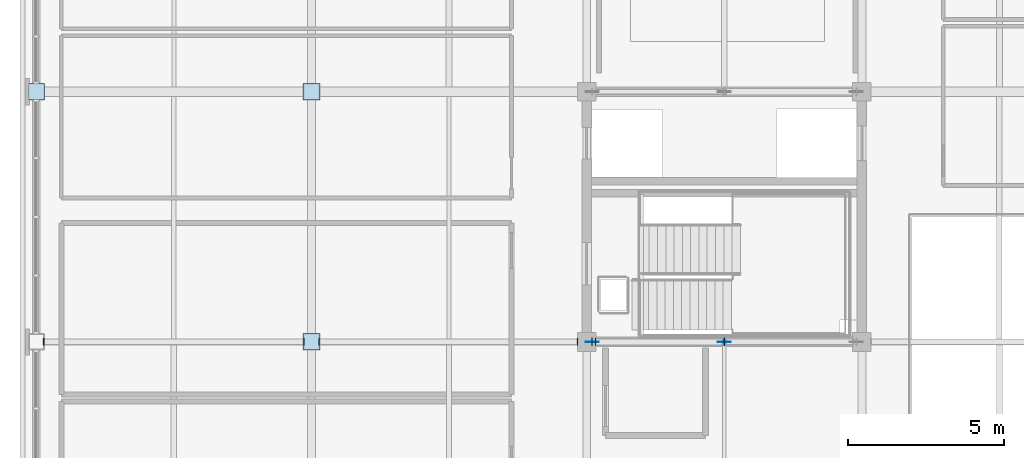
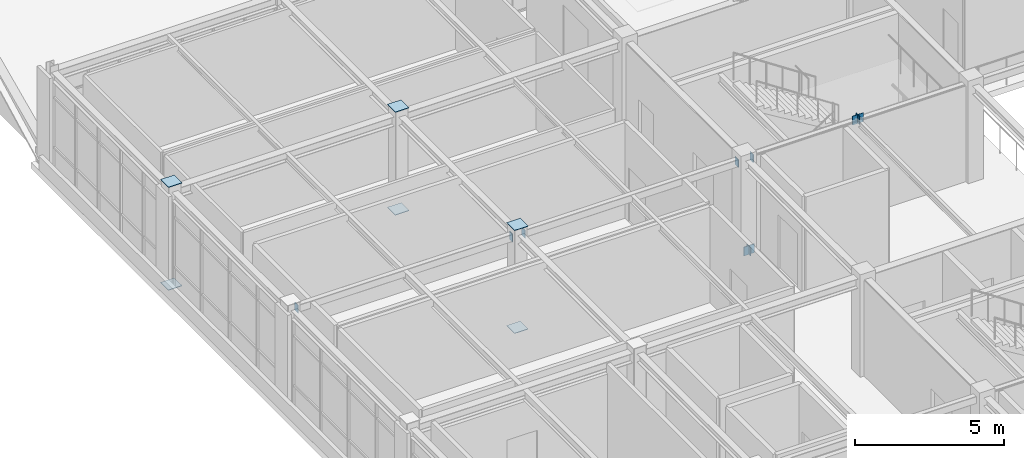
# One storey, part 33 of 45: 16 plates.
"""IFC4 building model written with IfcOpenShell, lengths in metres."""

from ifc_helpers import new_model, si_unit, direction, frame, origin, origin_2d, place, context, subcontext, project, spatial, rectangle, extrude, material, layer, layer_set, type_object, element, save


model = new_model("IFC4")

# Units and contexts
model_context = context("Model", 3, precision=1e-05, world=origin(), true_north=direction((0.0, 1.0)))
body_context = subcontext(model_context, "Body", "Model", "MODEL_VIEW")
ifc_project = project(units=[si_unit("LENGTHUNIT", "METRE"), si_unit("AREAUNIT", "SQUARE_METRE"), si_unit("VOLUMEUNIT", "CUBIC_METRE"), si_unit("PLANEANGLEUNIT", "RADIAN"), si_unit("MASSUNIT", "GRAM", prefix="KILO")], contexts=[model_context])

# Site, building, storey
site_placement = place(None, origin())
site = spatial("IfcSite", under=ifc_project, at=site_placement, CompositionType="ELEMENT")
building_placement = place(site_placement, origin())
building = spatial("IfcBuilding", under=site, at=building_placement, Name="Zhaolan Boulevard Law Courts", CompositionType="ELEMENT")
storey_placement = place(building_placement, frame((0.0, 0.0, 24.60009765625)))
storey = spatial("IfcBuildingStorey", under=building, at=storey_placement, Name="L05", CompositionType="ELEMENT", Elevation=24.60009765625)

# Plates
ifc_material_1 = material(Name="Structural steel Q355B", Category="steel")
ifc_layer_1 = layer(ifc_material_1, 0.02392578125)
ifc_layer_set_1 = layer_set([ifc_layer_1])
plate_type_1 = type_object("IfcPlateType", Name="BRACE GUSSET PLATE 24", PredefinedType="SHEET", material=ifc_layer_set_1)
for number, where, z_axis, x_axis, name in (
    (1, (17.780029296875, 62.0, -0.150390625), (0.0, 0.0, 1.0), (1.0, 0.0, 0.0), "Brace Gusset Connection Plate GP-W2-L05-SA1"),
    (2, (22.0, 62.0, 3.73974609375), (0.0, 0.0, 1.0), (1.0, 0.0, 0.0), "Brace Gusset Connection Plate GP-W2-L05-SAPX"),
):
    element("IfcPlate", number, at=place(storey_placement, frame(where, z_axis=z_axis, x_axis=x_axis)), inside=storey, type_object=plate_type_1, Name=name, PredefinedType="SHEET", context=body_context, shape_type="SweptSolid", body=[
        extrude(rectangle(XDim=0.419921875, YDim=0.02392578125, at=origin_2d()), origin(), (0.0, 0.0, 1.0), 0.360107421875),
    ])
ifc_material_2 = material(Name="Structural steel Q355B", Category="steel")
ifc_layer_2 = layer(ifc_material_2, 0.02001953125)
ifc_layer_set_2 = layer_set([ifc_layer_2])
plate_type_2 = type_object("IfcPlateType", Name="END CAP PLATE 20", PredefinedType="SHEET", material=ifc_layer_set_2)
for number, where, z_axis, x_axis, name in (
    (3, (0.0, 70.0, -0.01806640625), (0.0, 0.0, 1.0), (1.0, 0.0, 0.0), "Hollow Section End-Cap Plate ECP-0121"),
    (4, (0.0, 70.0, 4.197998046875), (0.0, 0.0, 1.0), (1.0, 0.0, 0.0), "Hollow Section End-Cap Plate ECP-0122"),
    (5, (8.800048828125, 62.0, -0.01806640625), (0.0, 0.0, 1.0), (1.0, 0.0, 0.0), "Hollow Section End-Cap Plate ECP-0233"),
    (6, (8.800048828125, 62.0, 4.197998046875), (0.0, 0.0, 1.0), (1.0, 0.0, 0.0), "Hollow Section End-Cap Plate ECP-0234"),
    (7, (8.800048828125, 70.0, -0.01806640625), (0.0, 0.0, 1.0), (1.0, 0.0, 0.0), "Hollow Section End-Cap Plate ECP-0255"),
    (8, (8.800048828125, 70.0, 4.197998046875), (0.0, 0.0, 1.0), (1.0, 0.0, 0.0), "Hollow Section End-Cap Plate ECP-0256"),
):
    element("IfcPlate", number, at=place(storey_placement, frame(where, z_axis=z_axis, x_axis=x_axis)), inside=storey, type_object=plate_type_2, Name=name, PredefinedType="SHEET", context=body_context, shape_type="SweptSolid", body=[
        extrude(rectangle(XDim=0.530029296875, YDim=0.530029296875, at=origin_2d()), origin(), (0.0, 0.0, 1.0), 0.02001953125),
    ])
for number, where, z_axis, x_axis, name in (
    (9, (0.238037109375, 62.0, 3.6328125), (0.0, 0.0, 1.0), (1.0, 0.0, 0.0), "Hollow Section End-Cap Plate ECP-0999"),
    (10, (8.56201171875, 62.0, 3.6328125), (0.0, 0.0, 1.0), (1.0, 0.0, 0.0), "Hollow Section End-Cap Plate ECP-1000"),
    (11, (9.0380859375, 62.0, 3.6328125), (0.0, 0.0, 1.0), (1.0, 0.0, 0.0), "Hollow Section End-Cap Plate ECP-1001"),
    (12, (17.31201171875, 62.0, 3.6328125), (0.0, 0.0, 1.0), (1.0, 0.0, 0.0), "Hollow Section End-Cap Plate ECP-1002"),
    (13, (17.887939453125, 62.0, 3.6328125), (0.0, 0.0, 1.0), (1.0, 0.0, 0.0), "Hollow Section End-Cap Plate ECP-1003"),
):
    element("IfcPlate", number, at=place(storey_placement, frame(where, z_axis=z_axis, x_axis=x_axis)), inside=storey, type_object=plate_type_2, Name=name, PredefinedType="SHEET", context=body_context, shape_type="SweptSolid", body=[
        extrude(rectangle(XDim=0.02001953125, YDim=0.22998046875, at=origin_2d()), origin(), (0.0, 0.0, 1.0), 0.330078125),
    ])
for number, where, z_axis, x_axis, name in (
    (14, (17.774169921875, 62.0, -0.1455078125), (0.0, 0.0, 1.0), (1.0, 0.0, 0.0), "Hollow Section End-Cap Plate ECP-1187"),
    (15, (22.005859375, 62.0, 3.75537109375), (0.0, 0.0, 1.0), (1.0, 0.0, 0.0), "Hollow Section End-Cap Plate ECP-1188"),
):
    element("IfcPlate", number, at=place(storey_placement, frame(where, z_axis=z_axis, x_axis=x_axis)), inside=storey, type_object=plate_type_2, Name=name, PredefinedType="SHEET", context=body_context, shape_type="SweptSolid", body=[
        extrude(rectangle(XDim=0.02001953125, YDim=0.25, at=origin_2d()), origin(), (0.0, 0.0, 1.0), 0.340087890625),
    ])
plate_placement = place(storey_placement, frame((21.994140625, 62.0, 3.768798828125), z_axis=(0.0, 0.0, 1.0), x_axis=(-1.0, 0.0, 0.0)))
element("IfcPlate", 16, at=plate_placement, inside=storey, type_object=plate_type_2, Name="Hollow Section End-Cap Plate ECP-1190", PredefinedType="SHEET", context=body_context, shape_type="SweptSolid", body=[
    extrude(rectangle(XDim=0.02001953125, YDim=0.22998046875, at=origin_2d()), origin(), (0.0, 0.0, 1.0), 0.31298828125),
])

save(model, "model.ifc")
